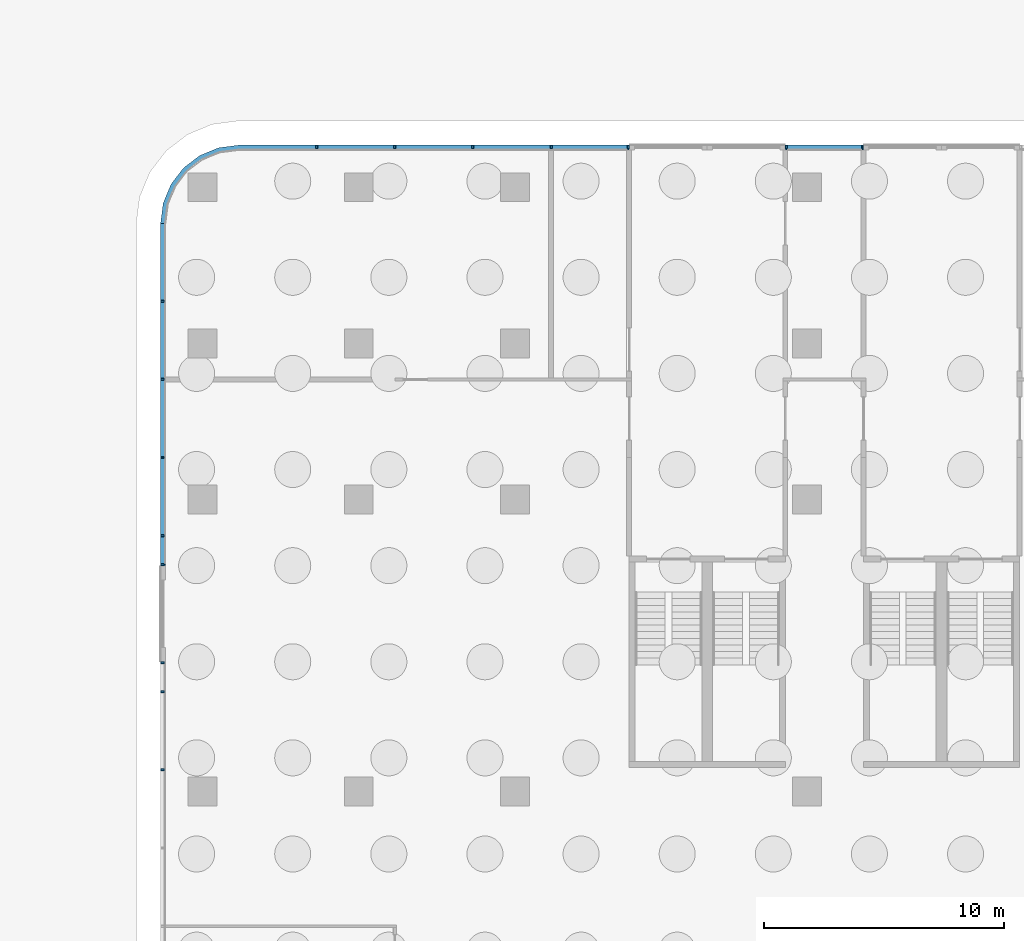
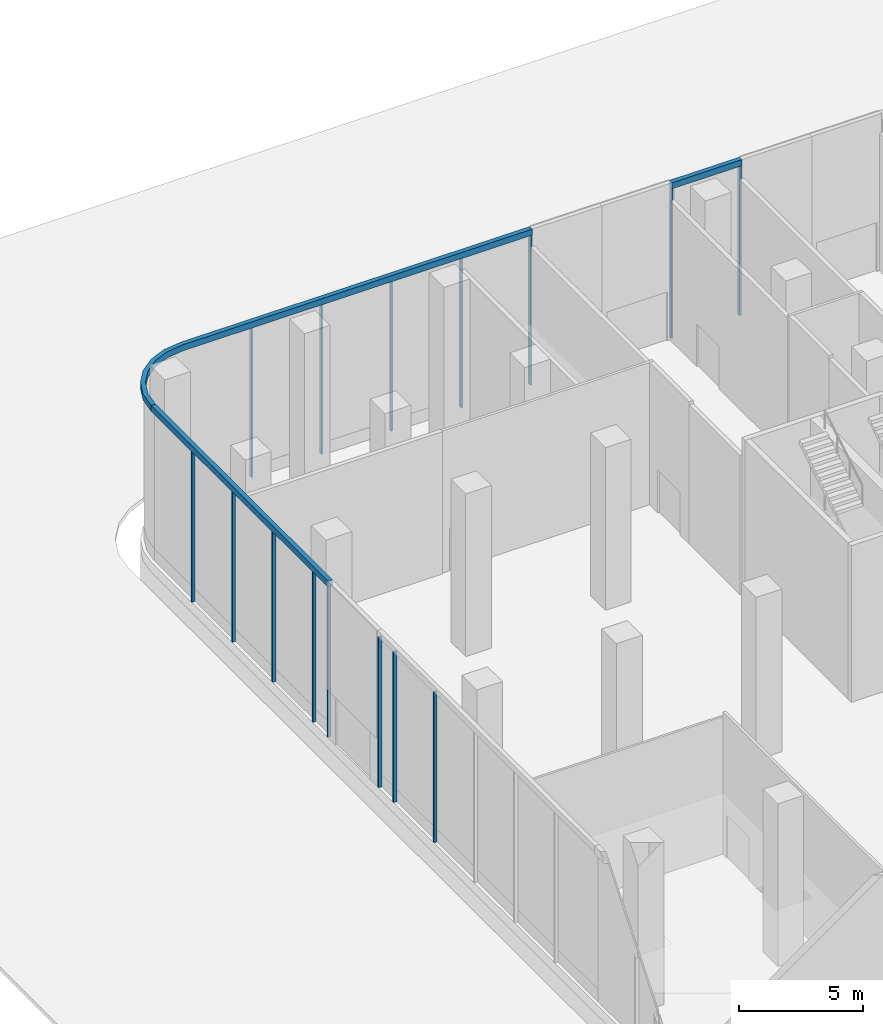
# One storey, part 10 of 27: 18 members, 4 elements without a shape of their own.
"""IFC4 building model written with IfcOpenShell, lengths in metres."""

from ifc_helpers import new_model, si_unit, direction, frame, origin, origin_2d, place, context, subcontext, project, spatial, polyline, rectangle, outline, extrude, source, transform, mapped, material, layer, layer_set, material_profile, profile_set, type_object, element, aggregate, save


model = new_model("IFC4")

# Units and contexts
model_context = context("Model", 3, precision=1e-05, world=origin(), true_north=direction((0.0, 1.0)))
body_context = subcontext(model_context, "Body", "Model", "MODEL_VIEW")
ifc_project = project(units=[si_unit("LENGTHUNIT", "METRE"), si_unit("AREAUNIT", "SQUARE_METRE"), si_unit("VOLUMEUNIT", "CUBIC_METRE"), si_unit("PLANEANGLEUNIT", "RADIAN"), si_unit("MASSUNIT", "GRAM", prefix="KILO")], contexts=[model_context])

# Site, building, storey
site_placement = place(None, origin())
site = spatial("IfcSite", under=ifc_project, at=site_placement, CompositionType="ELEMENT")
building_placement = place(site_placement, origin())
building = spatial("IfcBuilding", under=site, at=building_placement, Name="Trellis Farm Tower", CompositionType="ELEMENT")
storey_placement = place(building_placement, origin())
storey = spatial("IfcBuildingStorey", under=building, at=storey_placement, Name="L00", CompositionType="ELEMENT", Elevation=0.0)

# Curtain wall, member
ifc_material_1 = material(Name="Aluminium and glass curtain wall", Category="aluminium")
ifc_layer_1 = layer(ifc_material_1, 0.201904296875)
ifc_layer_set_1 = layer_set([ifc_layer_1], Name="SHOPFRONT CURTAIN WALL CW2")
curtain_wall_type = type_object("IfcCurtainWallType", Name="SHOPFRONT CURTAIN WALL CW2", PredefinedType="NOTDEFINED", material=ifc_layer_set_1)
placement_1 = place(storey_placement, origin())
curtain_wall_1 = element("IfcCurtainWall", 1, at=placement_1, inside=storey, type_object=curtain_wall_type, Name="CW2 009", PredefinedType="NOTDEFINED")
ifc_material_2 = material(Name="Aluminium extrusion 6063-T6", Category="aluminium")
ifc_layer_2 = layer(ifc_material_2, 0.205078125)
ifc_layer_set_2 = layer_set([ifc_layer_2], Name="Aluminium extrusion 6063-T6")
member_type_1 = type_object("IfcMemberType", Name="CW2 TRANSOM 205x300", PredefinedType="USERDEFINED", material=ifc_layer_set_2)
placement_2 = place(storey_placement, frame((0.0, 0.0, 7.39990234375)))
member_1 = element("IfcMember", 2, at=placement_2, type_object=member_type_1, Name="TR2 009", ObjectType="TRANSOM", PredefinedType="USERDEFINED", context=body_context, shape_type="SweptSolid", body=[
    extrude(outline(polyline([(-16.25, 45.5), (-19.5, 45.5), (-19.5, 45.294921875), (-16.25, 45.294921875), (-16.25, 45.5)])), origin(), (0.0, 0.0, 1.0), 0.300048828125),
])

curtain_wall_2 = element("IfcCurtainWall", 3, at=placement_1, inside=storey, type_object=curtain_wall_type, Name="CW2 010", PredefinedType="NOTDEFINED")
member_2 = element("IfcMember", 4, at=placement_2, type_object=member_type_1, Name="TR2 010", ObjectType="TRANSOM", PredefinedType="USERDEFINED", context=body_context, shape_type="SweptSolid", body=[
    extrude(outline(polyline([(-26.0, 45.5), (-42.25, 45.5), (-43.091064453125, 45.38916015625), (-43.875, 45.064697265625), (-44.548095703125, 44.548095703125), (-45.064697265625, 43.875), (-45.38916015625, 43.091064453125), (-45.5, 42.25), (-45.294921875, 42.236572265625), (-45.189453125, 43.03759765625), (-44.885498046875, 43.771728515625), (-44.40185546875, 44.40185546875), (-43.771728515625, 44.885498046875), (-43.03759765625, 45.189453125), (-42.236572265625, 45.294921875), (-26.0, 45.294921875), (-26.0, 45.5)])), origin(), (0.0, 0.0, 1.0), 0.300048828125),
])

curtain_wall_3 = element("IfcCurtainWall", 5, at=placement_1, inside=storey, type_object=curtain_wall_type, Name="CW2 011", PredefinedType="NOTDEFINED")
member_3 = element("IfcMember", 6, at=placement_2, type_object=member_type_1, Name="TR2 011", ObjectType="TRANSOM", PredefinedType="USERDEFINED", context=body_context, shape_type="SweptSolid", body=[
    extrude(outline(polyline([(-45.5, 42.25), (-45.5, 28.0), (-45.294921875, 28.0), (-45.294921875, 42.236572265625), (-45.5, 42.25)])), origin(), (0.0, 0.0, 1.0), 0.300048828125),
])

# Member
ifc_material_profile = material_profile(ifc_material_2, rectangle(XDim=0.080078125, YDim=0.14990234375, at=origin_2d()), Name="MULLION 80x150")
ifc_profile_set = profile_set([ifc_material_profile], Name="Aluminium extrusion 6063-T6")
member_type_2 = type_object("IfcMemberType", Name="CW2 MULLION 80x150", PredefinedType="MULLION", material=ifc_profile_set)
shared_shape = source(origin(), body_context, "Body", "SweptSolid", [
    extrude(rectangle(XDim=0.080078125, YDim=0.14990234375, at=origin_2d()), origin(), (0.0, 0.0, 1.0), 7.39990234375),
])
member_4_placement = place(storey_placement, frame((-16.2900390625, 45.425048828125, 0.0), z_axis=(0.0, 0.0, 1.0), x_axis=(-1.0, 0.0, 0.0)))
member_4 = element("IfcMember", 7, at=member_4_placement, type_object=member_type_2, Name="MU2 009-01", PredefinedType="MULLION", context=body_context, shape_type="MappedRepresentation", body=[
    mapped(shared_shape, transform((0.0, 0.0, 0.0))),
])

member_5_placement = place(storey_placement, frame((-19.4599609375, 45.425048828125, 0.0), z_axis=(0.0, 0.0, 1.0), x_axis=(-1.0, 0.0, 0.0)))
member_5 = element("IfcMember", 8, at=member_5_placement, type_object=member_type_2, Name="MU2 009-02", PredefinedType="MULLION", context=body_context, shape_type="MappedRepresentation", body=[
    mapped(shared_shape, transform((0.0, 0.0, 0.0))),
])

aggregate(curtain_wall_1, [member_4, member_5, member_1])

member_6_placement = place(storey_placement, frame((-26.0400390625, 45.425048828125, 0.0), z_axis=(0.0, 0.0, 1.0), x_axis=(-1.0, 0.0, 0.0)))
member_6 = element("IfcMember", 9, at=member_6_placement, type_object=member_type_2, Name="MU2 010-01", PredefinedType="MULLION", context=body_context, shape_type="MappedRepresentation", body=[
    mapped(shared_shape, transform((0.0, 0.0, 0.0))),
])

member_7_placement = place(storey_placement, frame((-29.25, 45.425048828125, 0.0), z_axis=(0.0, 0.0, 1.0), x_axis=(-1.0, 0.0, 0.0)))
member_7 = element("IfcMember", 10, at=member_7_placement, type_object=member_type_2, Name="MU2 010-02", PredefinedType="MULLION", context=body_context, shape_type="MappedRepresentation", body=[
    mapped(shared_shape, transform((0.0, 0.0, 0.0))),
])

member_8_placement = place(storey_placement, frame((-32.5, 45.425048828125, 0.0), z_axis=(0.0, 0.0, 1.0), x_axis=(-1.0, 0.0, 0.0)))
member_8 = element("IfcMember", 11, at=member_8_placement, type_object=member_type_2, Name="MU2 010-03", PredefinedType="MULLION", context=body_context, shape_type="MappedRepresentation", body=[
    mapped(shared_shape, transform((0.0, 0.0, 0.0))),
])

member_9_placement = place(storey_placement, frame((-35.75, 45.425048828125, 0.0), z_axis=(0.0, 0.0, 1.0), x_axis=(-1.0, 0.0, 0.0)))
member_9 = element("IfcMember", 12, at=member_9_placement, type_object=member_type_2, Name="MU2 010-04", PredefinedType="MULLION", context=body_context, shape_type="MappedRepresentation", body=[
    mapped(shared_shape, transform((0.0, 0.0, 0.0))),
])

member_10_placement = place(storey_placement, frame((-39.0, 45.425048828125, 0.0), z_axis=(0.0, 0.0, 1.0), x_axis=(-1.0, 0.0, 0.0)))
member_10 = element("IfcMember", 13, at=member_10_placement, type_object=member_type_2, Name="MU2 010-05", PredefinedType="MULLION", context=body_context, shape_type="MappedRepresentation", body=[
    mapped(shared_shape, transform((0.0, 0.0, 0.0))),
])

aggregate(curtain_wall_2, [member_6, member_7, member_8, member_9, member_10, member_2])

member_11_placement = place(storey_placement, frame((-45.425048828125, 39.0, 0.0), z_axis=(0.0, 0.0, 1.0), x_axis=(0.0, -1.0, 0.0)))
member_11 = element("IfcMember", 14, at=member_11_placement, type_object=member_type_2, Name="MU2 011-01", PredefinedType="MULLION", context=body_context, shape_type="MappedRepresentation", body=[
    mapped(shared_shape, transform((0.0, 0.0, 0.0))),
])

member_12_placement = place(storey_placement, frame((-45.425048828125, 35.75, 0.0), z_axis=(0.0, 0.0, 1.0), x_axis=(0.0, -1.0, 0.0)))
member_12 = element("IfcMember", 15, at=member_12_placement, type_object=member_type_2, Name="MU2 011-02", PredefinedType="MULLION", context=body_context, shape_type="MappedRepresentation", body=[
    mapped(shared_shape, transform((0.0, 0.0, 0.0))),
])

member_13_placement = place(storey_placement, frame((-45.425048828125, 32.5, 0.0), z_axis=(0.0, 0.0, 1.0), x_axis=(0.0, -1.0, 0.0)))
member_13 = element("IfcMember", 16, at=member_13_placement, type_object=member_type_2, Name="MU2 011-03", PredefinedType="MULLION", context=body_context, shape_type="MappedRepresentation", body=[
    mapped(shared_shape, transform((0.0, 0.0, 0.0))),
])

member_14_placement = place(storey_placement, frame((-45.425048828125, 29.25, 0.0), z_axis=(0.0, 0.0, 1.0), x_axis=(0.0, -1.0, 0.0)))
member_14 = element("IfcMember", 17, at=member_14_placement, type_object=member_type_2, Name="MU2 011-04", PredefinedType="MULLION", context=body_context, shape_type="MappedRepresentation", body=[
    mapped(shared_shape, transform((0.0, 0.0, 0.0))),
])

member_15_placement = place(storey_placement, frame((-45.425048828125, 28.0400390625, 0.0), z_axis=(0.0, 0.0, 1.0), x_axis=(0.0, -1.0, 0.0)))
member_15 = element("IfcMember", 18, at=member_15_placement, type_object=member_type_2, Name="MU2 011-05", PredefinedType="MULLION", context=body_context, shape_type="MappedRepresentation", body=[
    mapped(shared_shape, transform((0.0, 0.0, 0.0))),
])

aggregate(curtain_wall_3, [member_11, member_12, member_13, member_14, member_15, member_3])

# Curtain wall, members
curtain_wall_4 = element("IfcCurtainWall", 19, at=placement_1, inside=storey, type_object=curtain_wall_type, Name="CW2 012", PredefinedType="NOTDEFINED")
member_16_placement = place(storey_placement, frame((-45.425048828125, 23.9599609375, 0.0), z_axis=(0.0, 0.0, 1.0), x_axis=(0.0, -1.0, 0.0)))
member_16 = element("IfcMember", 20, at=member_16_placement, type_object=member_type_2, Name="MU2 012-01", PredefinedType="MULLION", context=body_context, shape_type="MappedRepresentation", body=[
    mapped(shared_shape, transform((0.0, 0.0, 0.0))),
])
member_17_placement = place(storey_placement, frame((-45.425048828125, 22.75, 0.0), z_axis=(0.0, 0.0, 1.0), x_axis=(0.0, -1.0, 0.0)))
member_17 = element("IfcMember", 21, at=member_17_placement, type_object=member_type_2, Name="MU2 012-02", PredefinedType="MULLION", context=body_context, shape_type="MappedRepresentation", body=[
    mapped(shared_shape, transform((0.0, 0.0, 0.0))),
])
member_18_placement = place(storey_placement, frame((-45.425048828125, 19.5, 0.0), z_axis=(0.0, 0.0, 1.0), x_axis=(0.0, -1.0, 0.0)))
member_18 = element("IfcMember", 22, at=member_18_placement, type_object=member_type_2, Name="MU2 012-03", PredefinedType="MULLION", context=body_context, shape_type="MappedRepresentation", body=[
    mapped(shared_shape, transform((0.0, 0.0, 0.0))),
])
aggregate(curtain_wall_4, [member_16, member_17, member_18])

save(model, "model.ifc")
